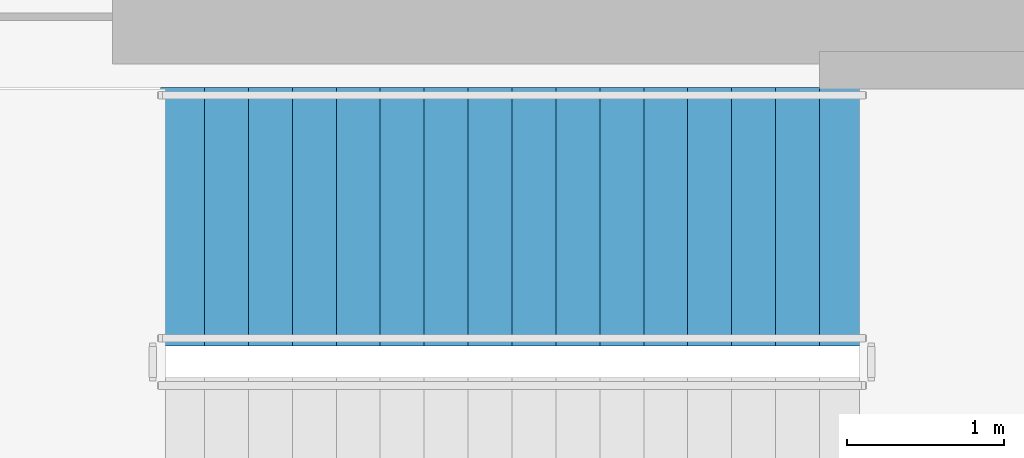
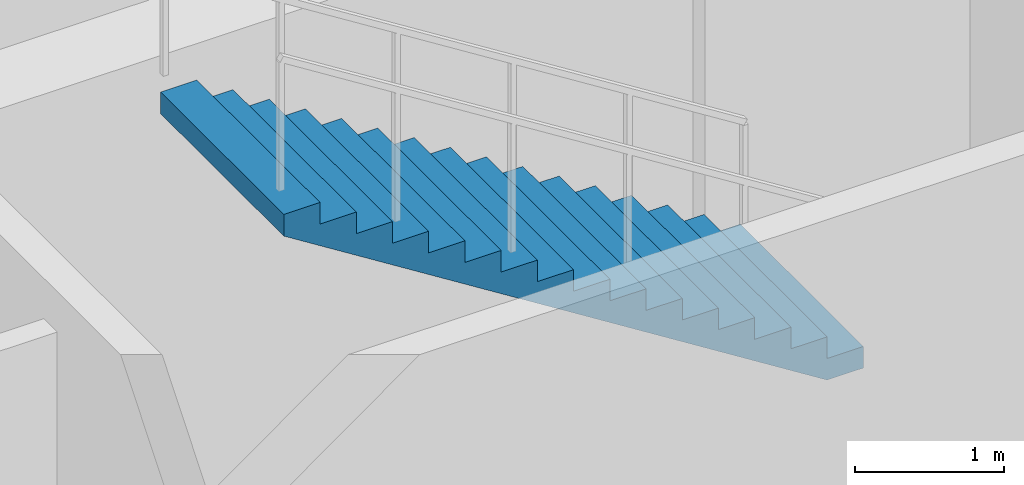
# One storey, part 7 of 10: 1 stair flight, 1 element without a shape of its own.
"""IFC4 building model written with IfcOpenShell, lengths in metres."""

from ifc_helpers import new_model, si_unit, direction, frame, origin, place, context, subcontext, project, spatial, polyline, outline, extrude, material, type_object, element, aggregate, save


model = new_model("IFC4")

# Units and contexts
model_context = context("Model", 3, precision=1e-05, world=origin(), true_north=direction((0.0, 1.0)))
body_context = subcontext(model_context, "Body", "Model", "MODEL_VIEW")
ifc_project = project(units=[si_unit("LENGTHUNIT", "METRE"), si_unit("AREAUNIT", "SQUARE_METRE"), si_unit("VOLUMEUNIT", "CUBIC_METRE"), si_unit("PLANEANGLEUNIT", "RADIAN"), si_unit("MASSUNIT", "GRAM", prefix="KILO")], contexts=[model_context])

# Site, building, storey
site_placement = place(None, origin())
site = spatial("IfcSite", under=ifc_project, at=site_placement, CompositionType="ELEMENT")
building_placement = place(site_placement, origin())
building = spatial("IfcBuilding", under=site, at=building_placement, Name="Haldenkirk Collegiate Tower", CompositionType="ELEMENT")
storey_placement = place(building_placement, origin())
storey = spatial("IfcBuildingStorey", under=building, at=storey_placement, Name="L00", CompositionType="ELEMENT", Elevation=0.0)

# Stair, stair flight
ifc_material = material(Name="Concrete f'c 40 MPa", Category="concrete")
stair_type = type_object("IfcStairType", Name="STR-DOGLEG-1650", PredefinedType="HALF_TURN_STAIR", material=ifc_material)
stair_placement = place(storey_placement, origin())
stair = element("IfcStair", 1, at=stair_placement, inside=storey, type_object=stair_type, Name="L00 Core Exit Stair ST-3", PredefinedType="HALF_TURN_STAIR")
stair_flight_type = type_object("IfcStairFlightType", Name="STF-FLIGHT-1650", PredefinedType="STRAIGHT", material=ifc_material)
stair_flight_placement = place(storey_placement, frame((38.1298828125, 32.72509765625, 3.0), z_axis=(0.0, 0.0, 1.0), x_axis=(-1.0, 0.0, 0.0)))
stair_flight = element("IfcStairFlight", 2, at=stair_flight_placement, type_object=stair_flight_type, Name="ST-3 flight 2", NumberOfRisers=17, NumberOfTreads=16, PredefinedType="STRAIGHT", RiserHeight=0.176470588, TreadLength=0.28, context=body_context, shape_type="SweptSolid", body=[
    extrude(outline(polyline([(0.0, 0.0), (0.0, 0.176513671875), (0.280029296875, 0.176513671875), (0.280029296875, 0.35302734375), (0.56005859375, 0.35302734375), (0.56005859375, 0.529296875), (0.840087890625, 0.529296875), (0.840087890625, 0.705810546875), (1.1201171875, 0.705810546875), (1.1201171875, 0.88232421875), (1.39990234375, 0.88232421875), (1.39990234375, 1.058837890625), (1.679931640625, 1.058837890625), (1.679931640625, 1.2353515625), (1.9599609375, 1.2353515625), (1.9599609375, 1.411865234375), (2.239990234375, 1.411865234375), (2.239990234375, 1.588134765625), (2.52001953125, 1.588134765625), (2.52001953125, 1.7646484375), (2.800048828125, 1.7646484375), (2.800048828125, 1.941162109375), (3.080078125, 1.941162109375), (3.080078125, 2.11767578125), (3.360107421875, 2.11767578125), (3.360107421875, 2.294189453125), (3.639892578125, 2.294189453125), (3.639892578125, 2.470703125), (3.919921875, 2.470703125), (3.919921875, 2.64697265625), (4.199951171875, 2.64697265625), (4.199951171875, 2.823486328125), (4.47998046875, 2.823486328125), (4.47998046875, 3.0), (4.47998046875, 2.646240234375), (0.28125, 0.0), (0.0, 0.0)])), frame((0.0, 0.824951171875, 0.0), z_axis=(0.0, -1.0, 0.0), x_axis=(1.0, 0.0, 0.0)), (0.0, 0.0, 1.0), 1.64990234375),
])
aggregate(stair, [stair_flight])

save(model, "model.ifc")
